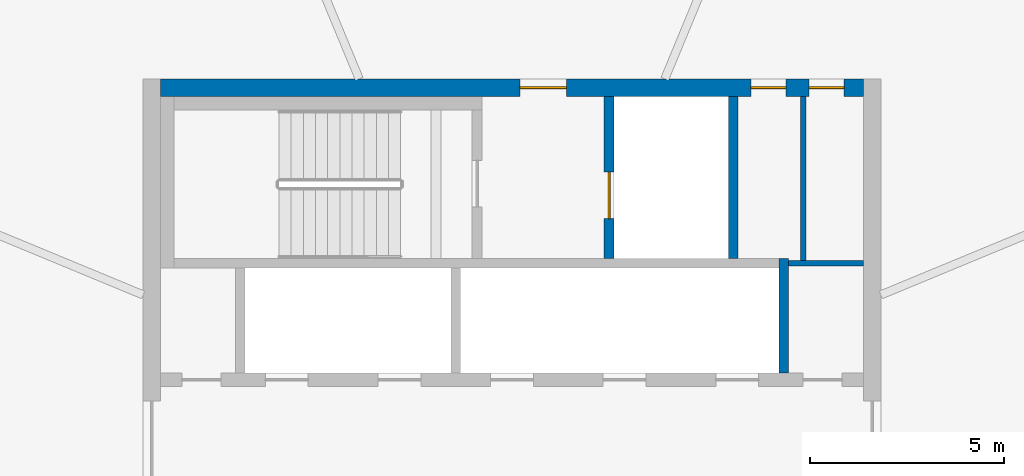
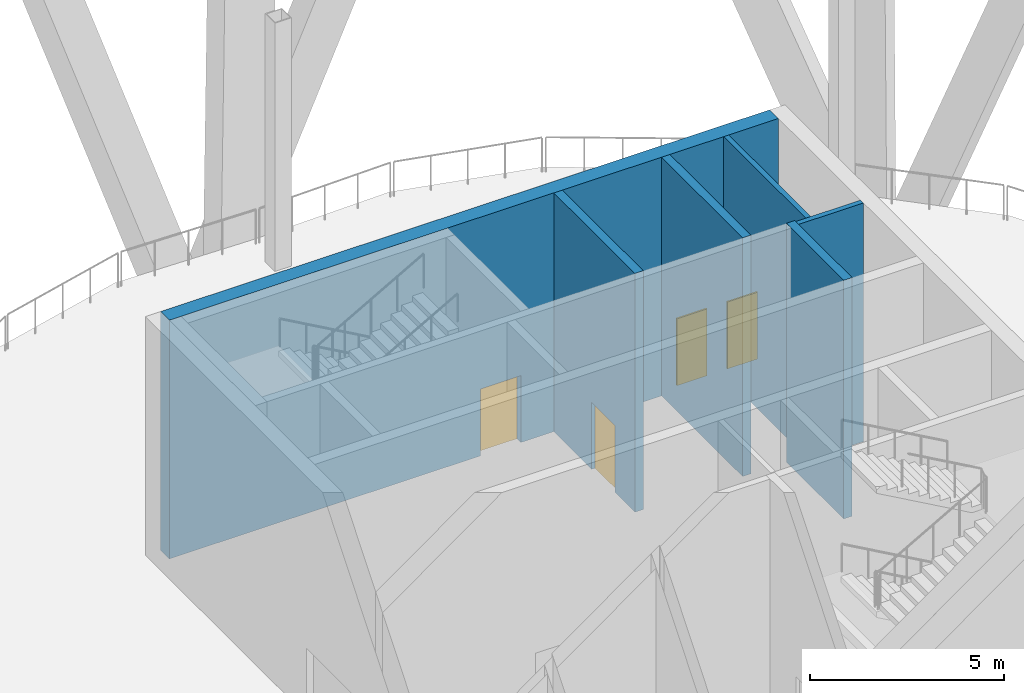
# One storey, part 5 of 13: 6 walls, 4 doors, 4 openings.
"""IFC4 building model written with IfcOpenShell, lengths in metres."""

from ifc_helpers import new_model, si_unit, direction, frame, frame_2d, origin, place, context, subcontext, project, spatial, rectangle, extrude, material, layer, layer_set, type_object, element, fill, save


model = new_model("IFC4")

# Units and contexts
model_context = context("Model", 3, precision=1e-05, world=origin(), true_north=direction((0.0, 1.0)))
body_context = subcontext(model_context, "Body", "Model", "MODEL_VIEW")
ifc_project = project(units=[si_unit("LENGTHUNIT", "METRE"), si_unit("AREAUNIT", "SQUARE_METRE"), si_unit("VOLUMEUNIT", "CUBIC_METRE"), si_unit("PLANEANGLEUNIT", "RADIAN"), si_unit("MASSUNIT", "GRAM", prefix="KILO")], contexts=[model_context])

# Site, building, storey
site_placement = place(None, origin())
site = spatial("IfcSite", under=ifc_project, at=site_placement, CompositionType="ELEMENT")
building_placement = place(site_placement, origin())
building = spatial("IfcBuilding", under=site, at=building_placement, Name="Ogive Gate Towers", CompositionType="ELEMENT")
storey_placement = place(building_placement, frame((0.0, 0.0, 221.10009765625)))
storey = spatial("IfcBuildingStorey", under=building, at=storey_placement, Name="L53", CompositionType="ELEMENT", Elevation=221.10009765625)

# Wall, openings, doors
ifc_material_1 = material(Name="Concrete C60/75", Category="concrete")
ifc_layer_1 = layer(ifc_material_1, 0.449951171875)
ifc_layer_set_1 = layer_set([ifc_layer_1], Name="Core wall 450 mm")
wall_type_1 = type_object("IfcWallType", Name="Core wall 450 mm", PredefinedType="SHEAR", material=ifc_layer_set_1)
wall_1_placement = place(storey_placement, frame((-45.050048828125, 9.27490234375, 0.0), z_axis=(0.0, 0.0, 1.0), x_axis=(1.0, 0.0, 0.0)))
wall_1 = element("IfcWall", 1, at=wall_1_placement, inside=storey, type_object=wall_type_1, Name="T1 L53 Core wall 450 mm", PredefinedType="SHEAR", context=body_context, shape_type="SweptSolid", body=[
    extrude(rectangle(XDim=18.10009765625, YDim=0.449951171875, at=frame_2d((9.050048828125, 0.0))), origin(), (0.0, 0.0, 1.0), 7.5),
])
opening_1_placement = place(wall_1_placement, frame((9.25, 0.0, 0.0)))
opening_1 = element("IfcOpeningElement", 2, at=opening_1_placement, cuts=wall_1, Name="Opening KD-T1-L53-18", PredefinedType="OPENING", context=body_context, shape_type="SweptSolid", body=[
    extrude(rectangle(XDim=1.199951171875, YDim=2.10009765625, at=frame_2d((0.60009765625, 1.050048828125))), frame((0.0, 0.23486328125, 0.0), z_axis=(0.0, -1.0, 0.0), x_axis=(1.0, 0.0, 0.0)), (0.0, 0.0, 1.0), 0.469970703125),
])
opening_2_placement = place(wall_1_placement, frame((15.199951171875, 0.0, 0.0)))
opening_2 = element("IfcOpeningElement", 3, at=opening_2_placement, cuts=wall_1, Name="Opening KD-T1-L53-20", PredefinedType="OPENING", context=body_context, shape_type="SweptSolid", body=[
    extrude(rectangle(XDim=0.89990234375, YDim=2.10009765625, at=frame_2d((0.449951171875, 1.050048828125))), frame((0.0, 0.23486328125, 0.0), z_axis=(0.0, -1.0, 0.0), x_axis=(1.0, 0.0, 0.0)), (0.0, 0.0, 1.0), 0.469970703125),
])
opening_3_placement = place(wall_1_placement, frame((16.699951171875, 0.0, 0.0)))
opening_3 = element("IfcOpeningElement", 4, at=opening_3_placement, cuts=wall_1, Name="Opening KD-T1-L53-21", PredefinedType="OPENING", context=body_context, shape_type="SweptSolid", body=[
    extrude(rectangle(XDim=0.89990234375, YDim=2.10009765625, at=frame_2d((0.449951171875, 1.050048828125))), frame((0.0, 0.23486328125, 0.0), z_axis=(0.0, -1.0, 0.0), x_axis=(1.0, 0.0, 0.0)), (0.0, 0.0, 1.0), 0.469970703125),
])
ifc_material_2 = material(Name="Steel fire door", Category="steel")
door_type_1 = type_object("IfcDoorType", Name="Core door FD60S 1200 x 2100", OperationType="NOTDEFINED", PredefinedType="DOOR", material=ifc_material_2)
door_1_placement = place(opening_1_placement, origin())
door_1 = element("IfcDoor", 5, at=door_1_placement, inside=storey, type_object=door_type_1, Name="T1 L53 Fire-fighting lobby door", OperationType="SINGLE_SWING_LEFT", OverallHeight=2.10009765625, OverallWidth=1.199951171875, PredefinedType="DOOR", context=body_context, shape_type="SweptSolid", body=[
    extrude(rectangle(XDim=1.199951171875, YDim=2.10009765625, at=frame_2d((0.60009765625, 1.050048828125))), frame((0.0, 0.02490234375, 0.0), z_axis=(0.0, -1.0, 0.0), x_axis=(1.0, 0.0, 0.0)), (0.0, 0.0, 1.0), 0.050048828125),
])
fill(opening_1, door_1)
door_type_2 = type_object("IfcDoorType", Name="Core door FD60S 900 x 2100", OperationType="NOTDEFINED", PredefinedType="DOOR", material=ifc_material_2)
door_2_placement = place(opening_2_placement, origin())
door_2 = element("IfcDoor", 6, at=door_2_placement, inside=storey, type_object=door_type_2, Name="T1 L53 Core door", OperationType="SINGLE_SWING_LEFT", OverallHeight=2.10009765625, OverallWidth=0.89990234375, PredefinedType="DOOR", context=body_context, shape_type="SweptSolid", body=[
    extrude(rectangle(XDim=0.89990234375, YDim=2.10009765625, at=frame_2d((0.449951171875, 1.050048828125))), frame((0.0, 0.02490234375, 0.0), z_axis=(0.0, -1.0, 0.0), x_axis=(1.0, 0.0, 0.0)), (0.0, 0.0, 1.0), 0.050048828125),
])
fill(opening_2, door_2)
door_3_placement = place(opening_3_placement, origin())
door_3 = element("IfcDoor", 7, at=door_3_placement, inside=storey, type_object=door_type_2, Name="T1 L53 Core door", OperationType="SINGLE_SWING_RIGHT", OverallHeight=2.10009765625, OverallWidth=0.89990234375, PredefinedType="DOOR", context=body_context, shape_type="SweptSolid", body=[
    extrude(rectangle(XDim=0.89990234375, YDim=2.10009765625, at=frame_2d((0.449951171875, 1.050048828125))), frame((0.0, 0.02490234375, 0.0), z_axis=(0.0, -1.0, 0.0), x_axis=(1.0, 0.0, 0.0)), (0.0, 0.0, 1.0), 0.050048828125),
])
fill(opening_3, door_3)

# Walls
ifc_material_3 = material(Name="Gypsum board partition")
ifc_layer_2 = layer(ifc_material_3, 0.14990234375)
ifc_layer_set_2 = layer_set([ifc_layer_2], Name="Room partition 150 mm")
wall_type_2 = type_object("IfcWallType", Name="Room partition 150 mm", PredefinedType="PARTITIONING", material=ifc_layer_set_2)
wall_2_placement = place(storey_placement, frame((-28.875, 4.75, 0.0), z_axis=(0.0, 0.0, 1.0), x_axis=(1.0, 0.0, 0.0)))
element("IfcWall", 8, at=wall_2_placement, inside=storey, type_object=wall_type_2, Name="T1 L53 Room partition 150 mm", PredefinedType="PARTITIONING", context=body_context, shape_type="SweptSolid", body=[
    extrude(rectangle(XDim=1.925048828125, YDim=0.14990234375, at=frame_2d((0.96240234375, 0.0))), origin(), (0.0, 0.0, 1.0), 7.5),
])
wall_3_placement = place(storey_placement, frame((-28.5, 4.824951171875, 0.0), z_axis=(0.0, 0.0, 1.0), x_axis=(0.0, 1.0, 0.0)))
element("IfcWall", 9, at=wall_3_placement, inside=storey, type_object=wall_type_2, Name="T1 L53 Room partition 150 mm", PredefinedType="PARTITIONING", context=body_context, shape_type="SweptSolid", body=[
    extrude(rectangle(XDim=4.22509765625, YDim=0.14990234375, at=frame_2d((2.112548828125, 0.0))), origin(), (0.0, 0.0, 1.0), 7.5),
])

# Wall, opening, door
ifc_layer_3 = layer(ifc_material_1, 0.25)
ifc_layer_set_3 = layer_set([ifc_layer_3], Name="Shaft wall 250 mm")
wall_type_3 = type_object("IfcWallType", Name="Shaft wall 250 mm", PredefinedType="SHEAR", material=ifc_layer_set_3)
wall_4_placement = place(storey_placement, frame((-33.5, 4.875, 0.0), z_axis=(0.0, 0.0, 1.0), x_axis=(0.0, 1.0, 0.0)))
wall_4 = element("IfcWall", 10, at=wall_4_placement, inside=storey, type_object=wall_type_3, Name="T1 L53 Shaft wall 250 mm", PredefinedType="SHEAR", context=body_context, shape_type="SweptSolid", body=[
    extrude(rectangle(XDim=4.175048828125, YDim=0.25, at=frame_2d((2.08740234375, 0.0))), origin(), (0.0, 0.0, 1.0), 7.5),
])
opening_4_placement = place(wall_4_placement, frame((1.02490234375, 0.0, 0.0)))
opening_4 = element("IfcOpeningElement", 11, at=opening_4_placement, cuts=wall_4, Name="Opening LD-T1-L53-12", PredefinedType="OPENING", context=body_context, shape_type="SweptSolid", body=[
    extrude(rectangle(XDim=1.199951171875, YDim=2.10009765625, at=frame_2d((0.60009765625, 1.050048828125))), frame((0.0, 0.135009765625, 0.0), z_axis=(0.0, -1.0, 0.0), x_axis=(1.0, 0.0, 0.0)), (0.0, 0.0, 1.0), 0.27001953125),
])
ifc_material_4 = material(Name="Stainless steel landing door", Category="steel")
door_type_3 = type_object("IfcDoorType", Name="Landing door 1200 x 2100", OperationType="SLIDING_TO_LEFT", PredefinedType="DOOR", material=ifc_material_4)
door_4_placement = place(opening_4_placement, origin())
door_4 = element("IfcDoor", 12, at=door_4_placement, inside=storey, type_object=door_type_3, Name="T1 L53 Lift landing door FF1", OperationType="SLIDING_TO_LEFT", OverallHeight=2.10009765625, OverallWidth=1.199951171875, PredefinedType="DOOR", context=body_context, shape_type="SweptSolid", body=[
    extrude(rectangle(XDim=1.199951171875, YDim=2.10009765625, at=frame_2d((0.60009765625, 1.050048828125))), frame((0.0, 0.02490234375, 0.0), z_axis=(0.0, -1.0, 0.0), x_axis=(1.0, 0.0, 0.0)), (0.0, 0.0, 1.0), 0.050048828125),
])
fill(opening_4, door_4)

# Walls
wall_5_placement = place(storey_placement, frame((-30.300048828125, 4.875, 0.0), z_axis=(0.0, 0.0, 1.0), x_axis=(0.0, 1.0, 0.0)))
element("IfcWall", 13, at=wall_5_placement, inside=storey, type_object=wall_type_3, Name="T1 L53 Shaft wall 250 mm", PredefinedType="SHEAR", context=body_context, shape_type="SweptSolid", body=[
    extrude(rectangle(XDim=4.175048828125, YDim=0.25, at=frame_2d((2.08740234375, 0.0))), origin(), (0.0, 0.0, 1.0), 7.5),
])
wall_6_placement = place(storey_placement, frame((-29.0, 1.925048828125, 0.0), z_axis=(0.0, 0.0, 1.0), x_axis=(0.0, 1.0, 0.0)))
element("IfcWall", 14, at=wall_6_placement, inside=storey, type_object=wall_type_3, Name="T1 L53 Shaft wall 250 mm", PredefinedType="SHEAR", context=body_context, shape_type="SweptSolid", body=[
    extrude(rectangle(XDim=2.949951171875, YDim=0.25, at=frame_2d((1.47509765625, 0.0))), origin(), (0.0, 0.0, 1.0), 7.5),
])

save(model, "model.ifc")
